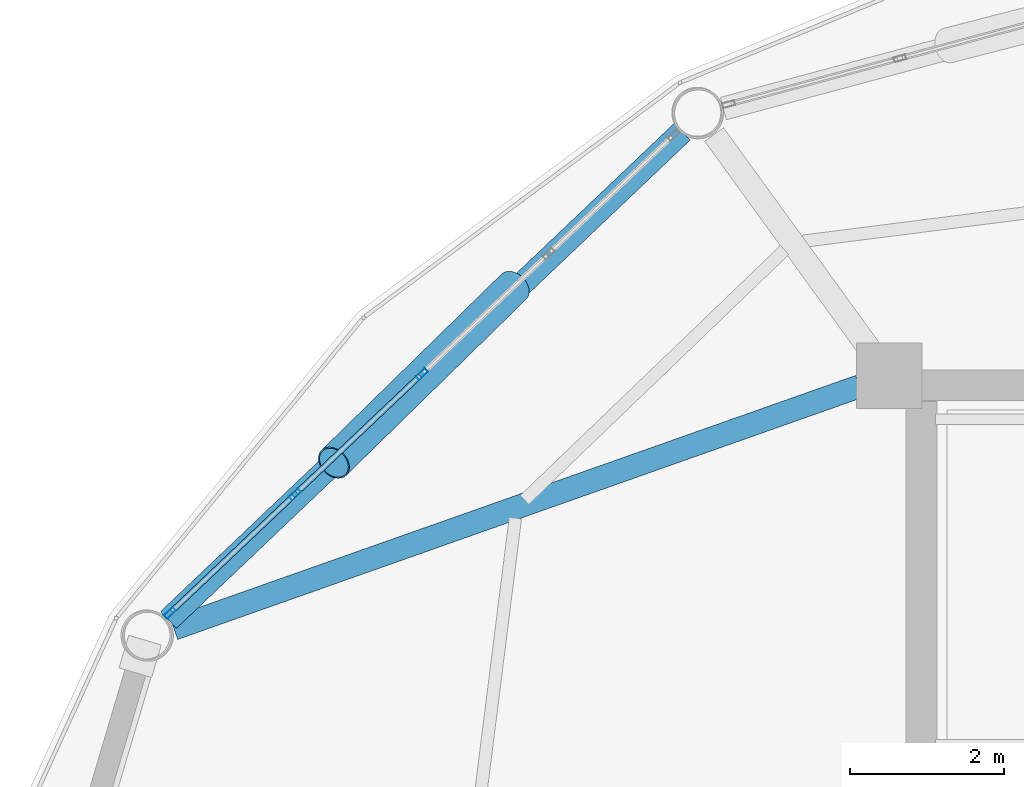
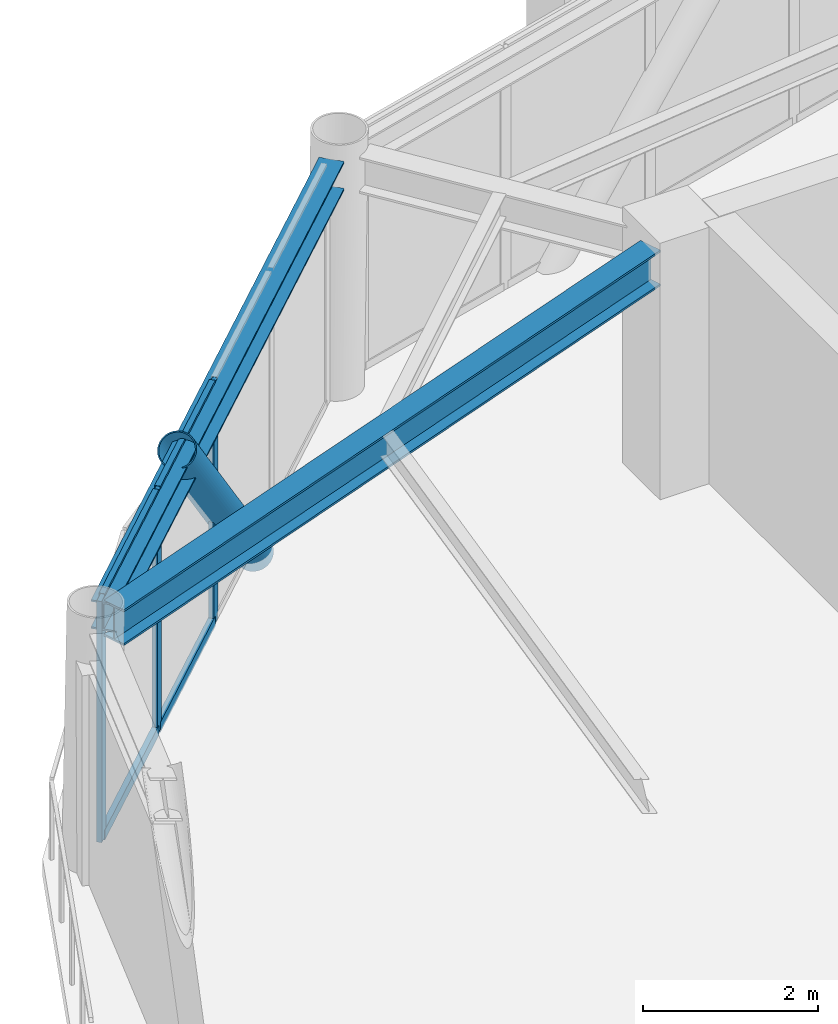
# One storey, part 13 of 28: 8 members, 2 beams, 1 element without a shape of its own.
"""IFC4 building model written with IfcOpenShell, lengths in metres."""

from ifc_helpers import new_model, si_unit, direction, frame, origin, origin_2d, place, context, subcontext, project, spatial, hollow_rectangle, hollow_circle, i_section, extrude, material, layer, layer_set, material_profile, profile_set, type_object, element, aggregate, save


model = new_model("IFC4")

# Units and contexts
model_context = context("Model", 3, precision=1e-05, world=origin(), true_north=direction((0.0, 1.0)))
body_context = subcontext(model_context, "Body", "Model", "MODEL_VIEW")
ifc_project = project(units=[si_unit("LENGTHUNIT", "METRE"), si_unit("AREAUNIT", "SQUARE_METRE"), si_unit("VOLUMEUNIT", "CUBIC_METRE"), si_unit("PLANEANGLEUNIT", "RADIAN"), si_unit("MASSUNIT", "GRAM", prefix="KILO")], contexts=[model_context])

# Site, building, storey
site_placement = place(None, origin())
site = spatial("IfcSite", under=ifc_project, at=site_placement, CompositionType="ELEMENT")
building_placement = place(site_placement, origin())
building = spatial("IfcBuilding", under=site, at=building_placement, Name="Varnakorn Sky Granary", CompositionType="ELEMENT")
storey_placement = place(building_placement, frame((0.0, 0.0, 186.0)))
storey = spatial("IfcBuildingStorey", under=building, at=storey_placement, Name="L46", CompositionType="ELEMENT", Elevation=186.0)

# Beams
ifc_material_1 = material(Name="Steel S355JR", Category="steel")
ifc_material_profile_1 = material_profile(ifc_material_1, i_section(OverallWidth=0.300048828125, OverallDepth=0.5, WebThickness=0.014404296875, FlangeThickness=0.028076171875, at=origin_2d()), Name="HE 500 B")
ifc_profile_set_1 = profile_set([ifc_material_profile_1], Name="Steel S355JR")
beam_type_1 = type_object("IfcBeamType", Name="BM-RAD-Z4", PredefinedType="BEAM", material=ifc_profile_set_1)
beam_1_placement = place(storey_placement, frame((-2.802001953125, 12.485107421875, 3.110107421875), z_axis=(-0.942906165375, -0.333058498312, 0.0), x_axis=(0.333058498312, -0.942906165375, 0.0)))
element("IfcBeam", 1, at=beam_1_placement, inside=storey, type_object=beam_type_1, Name="Radial Floor Girder RG06 L46", PredefinedType="BEAM", context=body_context, shape_type="SweptSolid", body=[
    extrude(i_section(OverallWidth=0.300048828125, OverallDepth=0.5, WebThickness=0.014404296875, FlangeThickness=0.028076171875, at=origin_2d()), origin(), (0.0, 0.0, 1.0), 9.42822265625),
])
ifc_material_profile_2 = material_profile(ifc_material_1, i_section(OverallWidth=0.300048828125, OverallDepth=0.39990234375, WebThickness=0.013427734375, FlangeThickness=0.02392578125, at=origin_2d()), Name="HE 400 B")
ifc_profile_set_2 = profile_set([ifc_material_profile_2], Name="Steel S355JR")
beam_type_2 = type_object("IfcBeamType", Name="BM-SPD-Z4", PredefinedType="SPANDREL", material=ifc_profile_set_2)
beam_2_placement = place(storey_placement, frame((-5.100341796875, 15.787109375, 3.159912109375), z_axis=(-0.724852811502, -0.688903768067, 0.0), x_axis=(0.688903768067, -0.724852811502, 0.0)))
element("IfcBeam", 2, at=beam_2_placement, inside=storey, type_object=beam_type_2, Name="Perimeter Spandrel Ring Beam RB05 L46", PredefinedType="SPANDREL", context=body_context, shape_type="SweptSolid", body=[
    extrude(i_section(OverallWidth=0.300048828125, OverallDepth=0.39990234375, WebThickness=0.013427734375, FlangeThickness=0.02392578125, at=origin_2d()), origin(), (0.0, 0.0, 1.0), 9.188720703125),
])

# Curtain wall, members
ifc_material_2 = material(Name="Anodised Bronze Aluminium Alloy 6063-T6", Category="aluminium")
ifc_layer = layer(ifc_material_2, 0.169921875, Name="Anodised Bronze Aluminium Alloy 6063-T6")
ifc_layer_set = layer_set([ifc_layer], Name="Anodised Bronze Aluminium Alloy 6063-T6")
curtain_wall_type = type_object("IfcCurtainWallType", Name="CW-LAB-1", PredefinedType="USERDEFINED", material=ifc_layer_set)
curtain_wall_placement = place(storey_placement, origin())
curtain_wall = element("IfcCurtainWall", 3, at=curtain_wall_placement, inside=storey, type_object=curtain_wall_type, Name="Unitised Curtain Wall CW5 CW-L46-B05", ObjectType="CURTAIN WALL", PredefinedType="USERDEFINED")
ifc_material_profile_3 = material_profile(ifc_material_2, hollow_rectangle(XDim=0.06494140625, YDim=0.159912109375, WallThickness=0.00341796875, at=origin_2d()), Name="ALU MULL 65x160")
ifc_profile_set_3 = profile_set([ifc_material_profile_3], Name="Anodised Bronze Aluminium Alloy 6063-T6")
member_type_1 = type_object("IfcMemberType", Name="CW-LAB-1-MULL", PredefinedType="MULLION", material=ifc_profile_set_3)
member_1_placement = place(storey_placement, frame((-11.741455078125, 9.54736328125, 0.0), z_axis=(0.0, 0.0, 1.0), x_axis=(-0.688291544345, 0.725434180325, 0.0)))
member_1 = element("IfcMember", 4, at=member_1_placement, type_object=member_type_1, Name="CW5 mullion 1", PredefinedType="MULLION", context=body_context, shape_type="SweptSolid", body=[
    extrude(hollow_rectangle(XDim=0.06494140625, YDim=0.159912109375, WallThickness=0.00341796875, at=origin_2d()), origin(), (0.0, 0.0, 1.0), 3.360107421875),
])
member_2_placement = place(storey_placement, frame((-10.12109375, 11.084716796875, 0.0), z_axis=(0.0, 0.0, 1.0), x_axis=(-0.688291544345, 0.725434180325, 0.0)))
member_2 = element("IfcMember", 5, at=member_2_placement, type_object=member_type_1, Name="CW5 mullion 2", PredefinedType="MULLION", context=body_context, shape_type="SweptSolid", body=[
    extrude(hollow_rectangle(XDim=0.06494140625, YDim=0.159912109375, WallThickness=0.00341796875, at=origin_2d()), origin(), (0.0, 0.0, 1.0), 3.360107421875),
])
member_3_placement = place(storey_placement, frame((-8.47705078125, 12.64453125, 0.0), z_axis=(0.0, 0.0, 1.0), x_axis=(-0.688291544345, 0.725434180325, 0.0)))
member_3 = element("IfcMember", 6, at=member_3_placement, type_object=member_type_1, Name="CW5 mullion 3", PredefinedType="MULLION", context=body_context, shape_type="SweptSolid", body=[
    extrude(hollow_rectangle(XDim=0.06494140625, YDim=0.159912109375, WallThickness=0.00341796875, at=origin_2d()), origin(), (0.0, 0.0, 1.0), 3.360107421875),
])
ifc_material_profile_4 = material_profile(ifc_material_2, hollow_rectangle(XDim=0.070068359375, YDim=0.139892578125, WallThickness=0.00341796875, at=origin_2d()), Name="ALU TRAN 70x140")
ifc_profile_set_4 = profile_set([ifc_material_profile_4], Name="Anodised Bronze Aluminium Alloy 6063-T6")
member_type_2 = type_object("IfcMemberType", Name="CW-LAB-1-TRAN", PredefinedType="USERDEFINED", material=ifc_profile_set_4)
member_4_placement = place(storey_placement, frame((-11.7177734375, 9.569580078125, 0.034912109375), z_axis=(0.72538154672, 0.688347013997, 0.0), x_axis=(-0.688347013997, 0.72538154672, 0.0)))
member_4 = element("IfcMember", 7, at=member_4_placement, type_object=member_type_2, Name="CW5 transom 1.1", ObjectType="TRANSOM", PredefinedType="USERDEFINED", context=body_context, shape_type="SweptSolid", body=[
    extrude(hollow_rectangle(XDim=0.070068359375, YDim=0.139892578125, WallThickness=0.00341796875, at=origin_2d()), origin(), (0.0, 0.0, 1.0), 2.1689453125),
])
member_5_placement = place(storey_placement, frame((-11.7177734375, 9.569580078125, 3.324951171875), z_axis=(0.72538154672, 0.688347013997, 0.0), x_axis=(-0.688347013997, 0.72538154672, 0.0)))
member_5 = element("IfcMember", 8, at=member_5_placement, type_object=member_type_2, Name="CW5 transom 1.2", ObjectType="TRANSOM", PredefinedType="USERDEFINED", context=body_context, shape_type="SweptSolid", body=[
    extrude(hollow_rectangle(XDim=0.070068359375, YDim=0.139892578125, WallThickness=0.00341796875, at=origin_2d()), origin(), (0.0, 0.0, 1.0), 2.1689453125),
])
member_6_placement = place(storey_placement, frame((-10.097412109375, 11.107177734375, 0.034912109375), z_axis=(0.725439559585, 0.688285874757, 0.0), x_axis=(-0.688285874757, 0.725439559585, 0.0)))
member_6 = element("IfcMember", 9, at=member_6_placement, type_object=member_type_2, Name="CW5 transom 2.1", ObjectType="TRANSOM", PredefinedType="USERDEFINED", context=body_context, shape_type="SweptSolid", body=[
    extrude(hollow_rectangle(XDim=0.070068359375, YDim=0.139892578125, WallThickness=0.00341796875, at=origin_2d()), origin(), (0.0, 0.0, 1.0), 2.201416015625),
])
member_7_placement = place(storey_placement, frame((-10.097412109375, 11.107177734375, 3.324951171875), z_axis=(0.725439559585, 0.688285874757, 0.0), x_axis=(-0.688285874757, 0.725439559585, 0.0)))
member_7 = element("IfcMember", 10, at=member_7_placement, type_object=member_type_2, Name="CW5 transom 2.2", ObjectType="TRANSOM", PredefinedType="USERDEFINED", context=body_context, shape_type="SweptSolid", body=[
    extrude(hollow_rectangle(XDim=0.070068359375, YDim=0.139892578125, WallThickness=0.00341796875, at=origin_2d()), origin(), (0.0, 0.0, 1.0), 2.201416015625),
])
aggregate(curtain_wall, [member_1, member_2, member_3, member_4, member_5, member_6, member_7])

# Member
ifc_material_3 = material(Name="Steel S460M", Category="steel")
ifc_material_profile_5 = material_profile(ifc_material_3, hollow_circle(Radius=0.228515625, WallThickness=0.01611328125, at=origin_2d()), Name="CHS 457x16")
ifc_profile_set_5 = profile_set([ifc_material_profile_5], Name="Steel S460M")
member_type_3 = type_object("IfcMemberType", Name="MB-DIAG-T3", PredefinedType="BRACE", material=ifc_profile_set_5)
member_8_placement = place(storey_placement, frame((-7.28662109375, 13.77392578125, -0.1298828125), z_axis=(-0.478344155866, -0.467919220365, 0.743127493612), x_axis=(0.699274186459, -0.714853559936, 0.0)))
element("IfcMember", 11, at=member_8_placement, inside=storey, type_object=member_type_3, Name="Perimeter CHS Diagrid Brace DG05 L46", PredefinedType="BRACE", context=body_context, shape_type="SweptSolid", body=[
    extrude(hollow_circle(Radius=0.228515625, WallThickness=0.01611328125, at=origin_2d()), origin(), (0.0, 0.0, 1.0), 4.87109375),
])

save(model, "model.ifc")
